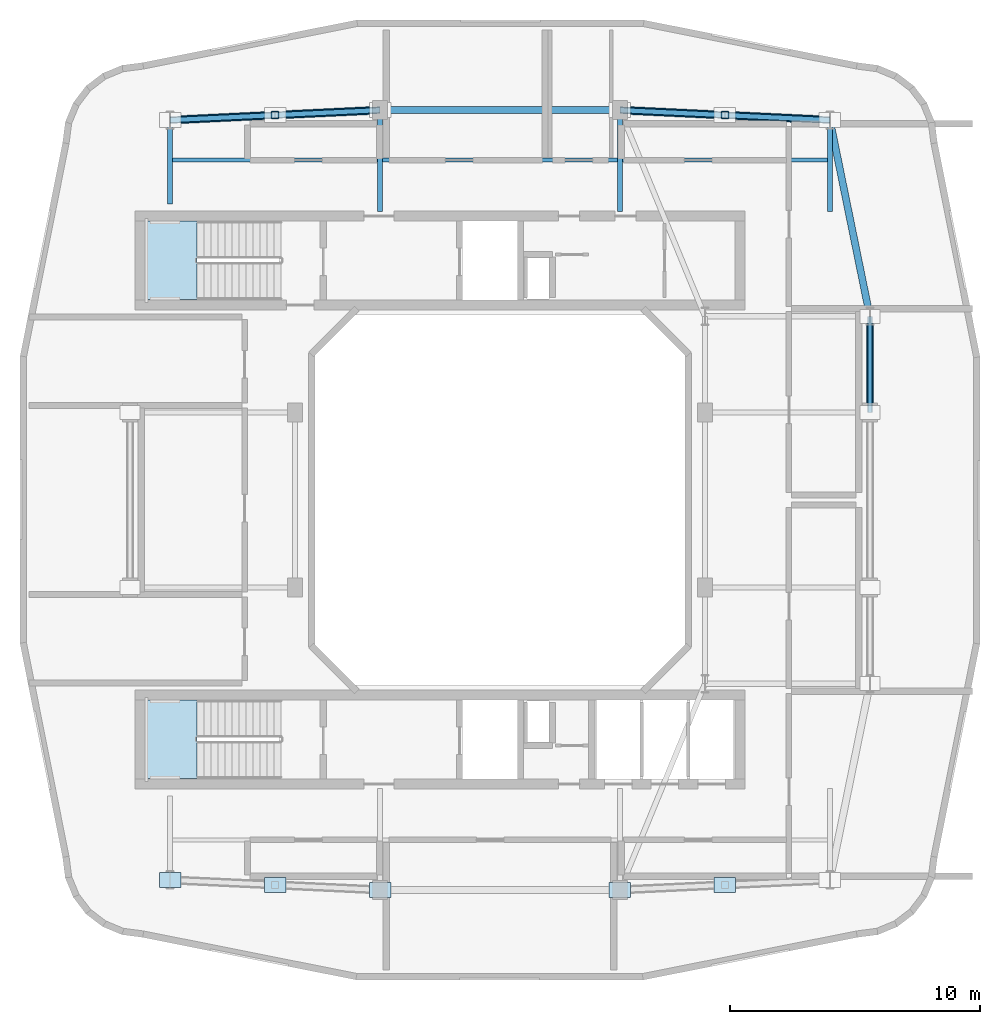
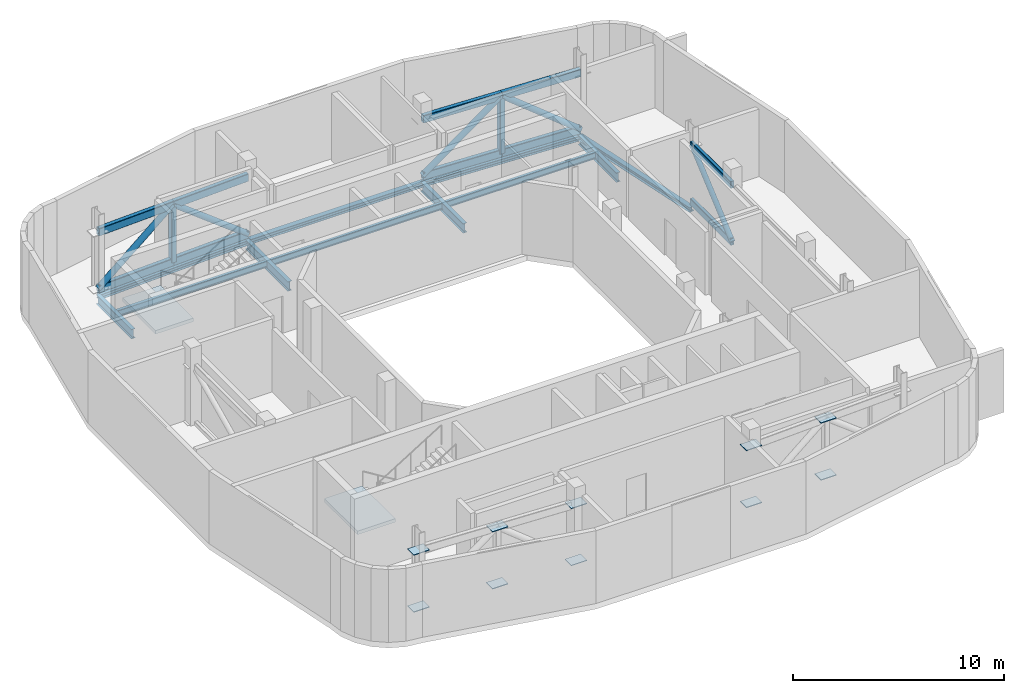
# One storey, part 2 of 9: 17 members, 11 beams, 10 plates, 2 slabs, 2 elements without a shape of their own.
"""IFC4 building model written with IfcOpenShell, lengths in metres."""

from ifc_helpers import new_model, si_unit, derived_unit, direction, frame, origin, origin_2d, place, context, subcontext, project, spatial, polyline, rectangle, hollow_rectangle, hollow_circle, i_section, outline, extrude, material, layer, layer_set, material_profile, profile_set, type_object, element, aggregate, save


model = new_model("IFC4")

# Units and contexts
model_context = context("Model", 3, precision=1e-05, world=origin(), true_north=direction((0.0, 1.0)))
body_context = subcontext(model_context, "Body", "Model", "MODEL_VIEW")
ifc_project = project(units=[si_unit("LENGTHUNIT", "METRE"), si_unit("AREAUNIT", "SQUARE_METRE"), si_unit("VOLUMEUNIT", "CUBIC_METRE"), si_unit("PLANEANGLEUNIT", "RADIAN"), si_unit("MASSUNIT", "GRAM", prefix="KILO"), derived_unit("THERMALTRANSMITTANCEUNIT", [(si_unit("POWERUNIT", "WATT"), 1), (si_unit("LENGTHUNIT", "METRE"), -2), (si_unit("THERMODYNAMICTEMPERATUREUNIT", "KELVIN"), -1)])], contexts=[model_context])

# Site, building, storey
site_placement = place(None, origin())
site = spatial("IfcSite", under=ifc_project, at=site_placement, CompositionType="ELEMENT")
building_placement = place(site_placement, origin())
building = spatial("IfcBuilding", under=site, at=building_placement, Name="Kivonza Crest Hotel", CompositionType="ELEMENT")
storey_placement = place(building_placement, frame((0.0, 0.0, 238.699951171875)))
storey = spatial("IfcBuildingStorey", under=building, at=storey_placement, Name="L65", CompositionType="ELEMENT", Elevation=238.699951171875)

# Beams
ifc_material_1 = material(Name="Steel S355", Category="steel")
ifc_material_profile_1 = material_profile(ifc_material_1, i_section(OverallWidth=0.280029296875, OverallDepth=0.280029296875, WebThickness=0.010498046875, FlangeThickness=0.01806640625, FilletRadius=0.02392578125, at=origin_2d()), Name="HEB 280")
ifc_profile_set_1 = profile_set([ifc_material_profile_1], Name="Steel S355")
beam_type_1 = type_object("IfcBeamType", Name="BM-HEB280", PredefinedType="SPANDREL", material=ifc_profile_set_1)
beam_1_placement = place(storey_placement, frame((35.800048828125, 32.35009765625, -0.4599609375), z_axis=(-0.199730733965, 0.979850822273, 0.0), x_axis=(-0.979850822273, -0.199730733965, 0.0)))
element("IfcBeam", 1, at=beam_1_placement, inside=storey, type_object=beam_type_1, Name="Tower T1 L65 perimeter spandrel PNE-NE", PredefinedType="SPANDREL", context=body_context, shape_type="SweptSolid", body=[
    extrude(i_section(OverallWidth=0.280029296875, OverallDepth=0.280029296875, WebThickness=0.010498046875, FlangeThickness=0.01806640625, FilletRadius=0.02392578125, at=origin_2d()), origin(), (0.0, 0.0, 1.0), 8.01123046875),
])
beam_2_placement = place(storey_placement, frame((34.199951171875, 40.199951171875, -0.4599609375), z_axis=(-0.998867283688, 0.047583080799, 0.0), x_axis=(-0.047583080799, -0.998867283688, 0.0)))
element("IfcBeam", 2, at=beam_2_placement, inside=storey, type_object=beam_type_1, Name="Tower T1 L65 perimeter spandrel NE-N2", PredefinedType="SPANDREL", context=body_context, shape_type="SweptSolid", body=[
    extrude(i_section(OverallWidth=0.280029296875, OverallDepth=0.280029296875, WebThickness=0.010498046875, FlangeThickness=0.01806640625, FilletRadius=0.02392578125, at=origin_2d()), origin(), (0.0, 0.0, 1.0), 8.409423828125),
])
beam_3_placement = place(storey_placement, frame((25.800048828125, 40.60009765625, -0.4599609375), z_axis=(-1.0, 0.0, 0.0), x_axis=(0.0, -1.0, 0.0)))
element("IfcBeam", 3, at=beam_3_placement, inside=storey, type_object=beam_type_1, Name="Tower T1 L65 perimeter spandrel N2-N1", PredefinedType="SPANDREL", context=body_context, shape_type="SweptSolid", body=[
    extrude(i_section(OverallWidth=0.280029296875, OverallDepth=0.280029296875, WebThickness=0.010498046875, FlangeThickness=0.01806640625, FilletRadius=0.02392578125, at=origin_2d()), origin(), (0.0, 0.0, 1.0), 9.60009765625),
])
beam_4_placement = place(storey_placement, frame((16.199951171875, 40.60009765625, -0.4599609375), z_axis=(-0.998867283688, -0.047583080799, 0.0), x_axis=(0.047583080799, -0.998867283688, 0.0)))
element("IfcBeam", 4, at=beam_4_placement, inside=storey, type_object=beam_type_1, Name="Tower T1 L65 perimeter spandrel N1-NW", PredefinedType="SPANDREL", context=body_context, shape_type="SweptSolid", body=[
    extrude(i_section(OverallWidth=0.280029296875, OverallDepth=0.280029296875, WebThickness=0.010498046875, FlangeThickness=0.01806640625, FilletRadius=0.02392578125, at=origin_2d()), origin(), (0.0, 0.0, 1.0), 8.409423828125),
])
ifc_material_profile_2 = material_profile(ifc_material_1, i_section(OverallWidth=0.169921875, OverallDepth=0.360107421875, WebThickness=0.008056640625, FlangeThickness=0.0126953125, FilletRadius=0.01806640625, at=origin_2d()), Name="IPE 360")
ifc_profile_set_2 = profile_set([ifc_material_profile_2], Name="Steel S355")
beam_type_2 = type_object("IfcBeamType", Name="BM-IPE360", PredefinedType="JOIST", material=ifc_profile_set_2)
beam_5_placement = place(storey_placement, frame((7.8798828125, 38.60009765625, -0.5), z_axis=(1.0, 0.0, 0.0), x_axis=(0.0, 1.0, 0.0)))
element("IfcBeam", 5, at=beam_5_placement, inside=storey, type_object=beam_type_2, Name="Tower T1 L65 North-West floor joist", PredefinedType="JOIST", context=body_context, shape_type="SweptSolid", body=[
    extrude(i_section(OverallWidth=0.169921875, OverallDepth=0.360107421875, WebThickness=0.008056640625, FlangeThickness=0.0126953125, FilletRadius=0.01806640625, at=origin_2d()), origin(), (0.0, 0.0, 1.0), 8.240234375),
])
beam_6_placement = place(storey_placement, frame((16.280029296875, 38.60009765625, -0.5), z_axis=(1.0, 0.0, 0.0), x_axis=(0.0, 1.0, 0.0)))
element("IfcBeam", 6, at=beam_6_placement, inside=storey, type_object=beam_type_2, Name="Tower T1 L65 North-Mid floor joist", PredefinedType="JOIST", context=body_context, shape_type="SweptSolid", body=[
    extrude(i_section(OverallWidth=0.169921875, OverallDepth=0.360107421875, WebThickness=0.008056640625, FlangeThickness=0.0126953125, FilletRadius=0.01806640625, at=origin_2d()), origin(), (0.0, 0.0, 1.0), 9.43994140625),
])
beam_7_placement = place(storey_placement, frame((25.8798828125, 38.60009765625, -0.5), z_axis=(1.0, 0.0, 0.0), x_axis=(0.0, 1.0, 0.0)))
element("IfcBeam", 7, at=beam_7_placement, inside=storey, type_object=beam_type_2, Name="Tower T1 L65 North-East floor joist", PredefinedType="JOIST", context=body_context, shape_type="SweptSolid", body=[
    extrude(i_section(OverallWidth=0.169921875, OverallDepth=0.360107421875, WebThickness=0.008056640625, FlangeThickness=0.0126953125, FilletRadius=0.01806640625, at=origin_2d()), origin(), (0.0, 0.0, 1.0), 8.240234375),
])
ifc_material_profile_3 = material_profile(ifc_material_1, i_section(OverallWidth=0.2099609375, OverallDepth=0.550048828125, WebThickness=0.010986328125, FlangeThickness=0.01708984375, FilletRadius=0.02392578125, at=origin_2d()), Name="IPE 550")
ifc_profile_set_3 = profile_set([ifc_material_profile_3], Name="Steel S355")
beam_type_3 = type_object("IfcBeamType", Name="BM-IPE550", PredefinedType="BEAM", material=ifc_profile_set_3)
beam_8_placement = place(storey_placement, frame((7.800048828125, 40.199951171875, -0.594970703125), z_axis=(0.0, -1.0, 0.0), x_axis=(1.0, 0.0, 0.0)))
element("IfcBeam", 8, at=beam_8_placement, inside=storey, type_object=beam_type_3, Name="Tower T1 L65 radial core girder RNW", PredefinedType="BEAM", context=body_context, shape_type="SweptSolid", body=[
    extrude(i_section(OverallWidth=0.2099609375, OverallDepth=0.550048828125, WebThickness=0.010986328125, FlangeThickness=0.01708984375, FilletRadius=0.02392578125, at=origin_2d()), origin(), (0.0, 0.0, 1.0), 3.349853515625),
])
for number, where, z_axis, x_axis, name in (
    (9, (16.199951171875, 40.60009765625, -0.594970703125), (0.0, -1.0, 0.0), (1.0, 0.0, 0.0), "Tower T1 L65 radial core girder RN1"),
    (10, (25.800048828125, 40.60009765625, -0.594970703125), (0.0, -1.0, 0.0), (1.0, 0.0, 0.0), "Tower T1 L65 radial core girder RN2"),
):
    element("IfcBeam", number, at=place(storey_placement, frame(where, z_axis=z_axis, x_axis=x_axis)), inside=storey, type_object=beam_type_3, Name=name, PredefinedType="BEAM", context=body_context, shape_type="SweptSolid", body=[
        extrude(i_section(OverallWidth=0.2099609375, OverallDepth=0.550048828125, WebThickness=0.010986328125, FlangeThickness=0.01708984375, FilletRadius=0.02392578125, at=origin_2d()), origin(), (0.0, 0.0, 1.0), 4.050048828125),
    ])
beam_9_placement = place(storey_placement, frame((34.199951171875, 40.199951171875, -0.594970703125), z_axis=(0.0, -1.0, 0.0), x_axis=(1.0, 0.0, 0.0)))
element("IfcBeam", 11, at=beam_9_placement, inside=storey, type_object=beam_type_3, Name="Tower T1 L65 radial core girder RNE", PredefinedType="BEAM", context=body_context, shape_type="SweptSolid", body=[
    extrude(i_section(OverallWidth=0.2099609375, OverallDepth=0.550048828125, WebThickness=0.010986328125, FlangeThickness=0.01708984375, FilletRadius=0.02392578125, at=origin_2d()), origin(), (0.0, 0.0, 1.0), 3.64990234375),
])

# Members
ifc_material_profile_4 = material_profile(ifc_material_1, hollow_circle(Radius=0.136474609375, WallThickness=0.012451171875, at=origin_2d()), Name="CHS 273x12.5")
ifc_profile_set_4 = profile_set([ifc_material_profile_4], Name="Steel S355")
member_type_1 = type_object("IfcMemberType", Name="MB-BRACE-CHS273", PredefinedType="BRACE", material=ifc_profile_set_4)
member_placement = place(storey_placement, frame((35.800048828125, 28.5, 0.0), z_axis=(0.0, 0.759260000885, 0.650787408495), x_axis=(-1.0, 0.0, 0.0)))
element("IfcMember", 12, at=member_placement, inside=storey, type_object=member_type_1, Name="Belt truss L65 E diagonal brace 3", PredefinedType="BRACE", context=body_context, shape_type="SweptSolid", body=[
    extrude(hollow_circle(Radius=0.136474609375, WallThickness=0.012451171875, at=origin_2d()), origin(), (0.0, 0.0, 1.0), 5.07080078125),
])
ifc_material_profile_5 = material_profile(ifc_material_1, hollow_circle(Radius=0.161865234375, WallThickness=0.01611328125, at=origin_2d()), Name="CHS 323.9x16")
ifc_profile_set_5 = profile_set([ifc_material_profile_5], Name="Steel S355")
member_type_2 = type_object("IfcMemberType", Name="MB-BRACE-CHS324", PredefinedType="BRACE", material=ifc_profile_set_5)
for number, where, z_axis, x_axis, name in (
    (13, (16.199951171875, 40.60009765625, 0.0), (-0.785758694228, -0.037454056227, 0.617398143921), (0.047612046782, -0.998865903413, 0.0), "Outrigger truss L65 NW diagonal brace 1"),
    (14, (12.0, 40.39990234375, 3.300048828125), (-0.78576003764, -0.037408444505, -0.617399199487), (0.047554114695, -0.998868663126, 0.0), "Outrigger truss L65 NW diagonal brace 2"),
    (15, (25.800048828125, 40.60009765625, 0.0), (0.785758694228, -0.037454056227, 0.617398143921), (0.047612046782, 0.998865903413, 0.0), "Outrigger truss L65 NE diagonal brace 1"),
    (16, (30.0, 40.39990234375, 3.300048828125), (0.78576003764, -0.037408444505, -0.617399199487), (0.047554114695, 0.998868663126, 0.0), "Outrigger truss L65 NE diagonal brace 2"),
):
    element("IfcMember", number, at=place(storey_placement, frame(where, z_axis=z_axis, x_axis=x_axis)), inside=storey, type_object=member_type_2, Name=name, PredefinedType="BRACE", context=body_context, shape_type="SweptSolid", body=[
        extrude(hollow_circle(Radius=0.161865234375, WallThickness=0.01611328125, at=origin_2d()), origin(), (0.0, 0.0, 1.0), 5.344970703125),
    ])
ifc_material_profile_6 = material_profile(ifc_material_1, hollow_rectangle(XDim=0.199951171875, YDim=0.39990234375, WallThickness=0.01611328125, InnerFilletRadius=0.02392578125, OuterFilletRadius=0.0400390625, at=origin_2d()), Name="RHS 400x200x16")
ifc_profile_set_6 = profile_set([ifc_material_profile_6], Name="Steel S355")
member_type_3 = type_object("IfcMemberType", Name="MB-CHORD-RHS400", PredefinedType="CHORD", material=ifc_profile_set_6)
for number, where, z_axis, x_axis, name in (
    (17, (35.800048828125, 28.5, 0.0), (0.0, 1.0, 0.0), (-1.0, 0.0, 0.0), "Belt truss L65 E bottom chord 3"),
    (18, (35.800048828125, 28.5, 3.300048828125), (0.0, 1.0, 0.0), (-1.0, 0.0, 0.0), "Belt truss L65 E top chord 3"),
):
    element("IfcMember", number, at=place(storey_placement, frame(where, z_axis=z_axis, x_axis=x_axis)), inside=storey, type_object=member_type_3, Name=name, PredefinedType="CHORD", context=body_context, shape_type="SweptSolid", body=[
        extrude(hollow_rectangle(XDim=0.199951171875, YDim=0.39990234375, WallThickness=0.01611328125, InnerFilletRadius=0.02392578125, OuterFilletRadius=0.0400390625, at=origin_2d()), origin(), (0.0, 0.0, 1.0), 3.85009765625),
    ])
ifc_material_profile_7 = material_profile(ifc_material_1, hollow_rectangle(XDim=0.25, YDim=0.449951171875, WallThickness=0.01611328125, InnerFilletRadius=0.02392578125, OuterFilletRadius=0.0400390625, at=origin_2d()), Name="RHS 450x250x16")
ifc_profile_set_7 = profile_set([ifc_material_profile_7], Name="Steel S355")
member_type_4 = type_object("IfcMemberType", Name="MB-CHORD-RHS450", PredefinedType="CHORD", material=ifc_profile_set_7)
for number, where, z_axis, x_axis, name in (
    (19, (16.199951171875, 40.60009765625, 0.0), (-0.998865903413, -0.047612046782, 0.0), (0.047612046782, -0.998865903413, 0.0), "Outrigger truss L65 NW bottom chord 1"),
    (20, (16.199951171875, 40.60009765625, 3.300048828125), (-0.998865903413, -0.047612046782, 0.0), (0.047612046782, -0.998865903413, 0.0), "Outrigger truss L65 NW top chord 1"),
):
    element("IfcMember", number, at=place(storey_placement, frame(where, z_axis=z_axis, x_axis=x_axis)), inside=storey, type_object=member_type_4, Name=name, PredefinedType="CHORD", context=body_context, shape_type="SweptSolid", body=[
        extrude(hollow_rectangle(XDim=0.25, YDim=0.449951171875, WallThickness=0.01611328125, InnerFilletRadius=0.02392578125, OuterFilletRadius=0.0400390625, at=origin_2d()), origin(), (0.0, 0.0, 1.0), 4.204833984375),
    ])
for number, where, z_axis, x_axis, name in (
    (21, (12.0, 40.39990234375, 0.0), (-0.998868663126, -0.047554114695, 0.0), (0.047554114695, -0.998868663126, 0.0), "Outrigger truss L65 NW bottom chord 2"),
    (22, (12.0, 40.39990234375, 3.300048828125), (-0.998868663126, -0.047554114695, 0.0), (0.047554114695, -0.998868663126, 0.0), "Outrigger truss L65 NW top chord 2"),
):
    element("IfcMember", number, at=place(storey_placement, frame(where, z_axis=z_axis, x_axis=x_axis)), inside=storey, type_object=member_type_4, Name=name, PredefinedType="CHORD", context=body_context, shape_type="SweptSolid", body=[
        extrude(hollow_rectangle(XDim=0.25, YDim=0.449951171875, WallThickness=0.01611328125, InnerFilletRadius=0.02392578125, OuterFilletRadius=0.0400390625, at=origin_2d()), origin(), (0.0, 0.0, 1.0), 4.20458984375),
    ])
for number, where, z_axis, x_axis, name in (
    (23, (25.800048828125, 40.60009765625, 0.0), (0.998865903413, -0.047612046782, 0.0), (0.047612046782, 0.998865903413, 0.0), "Outrigger truss L65 NE bottom chord 1"),
    (24, (25.800048828125, 40.60009765625, 3.300048828125), (0.998865903413, -0.047612046782, 0.0), (0.047612046782, 0.998865903413, 0.0), "Outrigger truss L65 NE top chord 1"),
):
    element("IfcMember", number, at=place(storey_placement, frame(where, z_axis=z_axis, x_axis=x_axis)), inside=storey, type_object=member_type_4, Name=name, PredefinedType="CHORD", context=body_context, shape_type="SweptSolid", body=[
        extrude(hollow_rectangle(XDim=0.25, YDim=0.449951171875, WallThickness=0.01611328125, InnerFilletRadius=0.02392578125, OuterFilletRadius=0.0400390625, at=origin_2d()), origin(), (0.0, 0.0, 1.0), 4.204833984375),
    ])
for number, where, z_axis, x_axis, name in (
    (25, (30.0, 40.39990234375, 0.0), (0.998868663126, -0.047554114695, 0.0), (0.047554114695, 0.998868663126, 0.0), "Outrigger truss L65 NE bottom chord 2"),
    (26, (30.0, 40.39990234375, 3.300048828125), (0.998868663126, -0.047554114695, 0.0), (0.047554114695, 0.998868663126, 0.0), "Outrigger truss L65 NE top chord 2"),
):
    element("IfcMember", number, at=place(storey_placement, frame(where, z_axis=z_axis, x_axis=x_axis)), inside=storey, type_object=member_type_4, Name=name, PredefinedType="CHORD", context=body_context, shape_type="SweptSolid", body=[
        extrude(hollow_rectangle(XDim=0.25, YDim=0.449951171875, WallThickness=0.01611328125, InnerFilletRadius=0.02392578125, OuterFilletRadius=0.0400390625, at=origin_2d()), origin(), (0.0, 0.0, 1.0), 4.20458984375),
    ])
ifc_material_profile_8 = material_profile(ifc_material_1, hollow_rectangle(XDim=0.300048828125, YDim=0.300048828125, WallThickness=0.01611328125, InnerFilletRadius=0.02392578125, OuterFilletRadius=0.0400390625, at=origin_2d()), Name="SHS 300x300x16")
ifc_profile_set_8 = profile_set([ifc_material_profile_8], Name="Steel S355")
member_type_5 = type_object("IfcMemberType", Name="MB-POST-SHS300", PredefinedType="POST", material=ifc_profile_set_8)
for number, where, z_axis, x_axis, name in (
    (27, (12.0, 40.39990234375, 0.0), (0.0, 0.0, 1.0), (1.0, 0.0, 0.0), "Outrigger truss L65 NW vertical post 2"),
    (28, (30.0, 40.39990234375, 0.0), (0.0, 0.0, 1.0), (1.0, 0.0, 0.0), "Outrigger truss L65 NE vertical post 2"),
):
    element("IfcMember", number, at=place(storey_placement, frame(where, z_axis=z_axis, x_axis=x_axis)), inside=storey, type_object=member_type_5, Name=name, PredefinedType="POST", context=body_context, shape_type="SweptSolid", body=[
        extrude(hollow_rectangle(XDim=0.300048828125, YDim=0.300048828125, WallThickness=0.01611328125, InnerFilletRadius=0.02392578125, OuterFilletRadius=0.0400390625, at=origin_2d()), origin(), (0.0, 0.0, 1.0), 3.300048828125),
    ])

# Plates
ifc_layer_1 = layer(ifc_material_1, 0.035888671875)
ifc_layer_set_1 = layer_set([ifc_layer_1], Name="Steel S355")
plate_type = type_object("IfcPlateType", Name="PL-NODE-OT1", PredefinedType="SHEET", material=ifc_layer_set_1)
for number, where, z_axis, x_axis, name in (
    (29, (12.0, 9.60009765625, -0.01806640625), (0.0, 0.0, 1.0), (1.0, 0.0, 0.0), "ND-OT1 node gusset and end-cap plate L65 117"),
    (30, (12.0, 9.60009765625, 3.2822265625), (0.0, 0.0, 1.0), (1.0, 0.0, 0.0), "ND-OT1 node gusset and end-cap plate L65 118"),
    (31, (16.199951171875, 9.39990234375, -0.01806640625), (0.0, 0.0, 1.0), (1.0, 0.0, 0.0), "ND-OT1 node gusset and end-cap plate L65 119"),
    (32, (16.199951171875, 9.39990234375, 3.2822265625), (0.0, 0.0, 1.0), (1.0, 0.0, 0.0), "ND-OT1 node gusset and end-cap plate L65 120"),
    (33, (7.800048828125, 9.800048828125, -0.01806640625), (0.0, 0.0, 1.0), (1.0, 0.0, 0.0), "ND-OT1 node gusset and end-cap plate L65 121"),
    (34, (7.800048828125, 9.800048828125, 3.2822265625), (0.0, 0.0, 1.0), (1.0, 0.0, 0.0), "ND-OT1 node gusset and end-cap plate L65 122"),
    (35, (30.0, 9.60009765625, -0.01806640625), (0.0, 0.0, 1.0), (1.0, 0.0, 0.0), "ND-OT1 node gusset and end-cap plate L65 123"),
    (36, (30.0, 9.60009765625, 3.2822265625), (0.0, 0.0, 1.0), (1.0, 0.0, 0.0), "ND-OT1 node gusset and end-cap plate L65 124"),
    (37, (25.800048828125, 9.39990234375, -0.01806640625), (0.0, 0.0, 1.0), (1.0, 0.0, 0.0), "ND-OT1 node gusset and end-cap plate L65 125"),
    (38, (25.800048828125, 9.39990234375, 3.2822265625), (0.0, 0.0, 1.0), (1.0, 0.0, 0.0), "ND-OT1 node gusset and end-cap plate L65 126"),
):
    element("IfcPlate", number, at=place(storey_placement, frame(where, z_axis=z_axis, x_axis=x_axis)), inside=storey, type_object=plate_type, Name=name, PredefinedType="SHEET", context=body_context, shape_type="SweptSolid", body=[
        extrude(rectangle(XDim=0.860107421875, YDim=0.60009765625, at=origin_2d()), origin(), (0.0, 0.0, 1.0), 0.035888671875),
    ])

# Stair, slab
ifc_material_2 = material(Name="Concrete C40/50", Category="concrete")
stair_type = type_object("IfcStairType", Name="ST-DL-26R", PredefinedType="HALF_TURN_STAIR", material=ifc_material_2)
stair_1_placement = place(storey_placement, origin())
stair_1 = element("IfcStair", 39, at=stair_1_placement, inside=storey, type_object=stair_type, Name="L65 Protected Exit Stair ST-T1-N", PredefinedType="HALF_TURN_STAIR")
ifc_layer_2 = layer(ifc_material_2, 0.199951171875)
ifc_layer_set_2 = layer_set([ifc_layer_2], Name="Concrete C40/50")
slab_type = type_object("IfcSlabType", Name="SL-LAND-200", PredefinedType="LANDING", material=ifc_layer_set_2)
slab_1_placement = place(storey_placement, frame((0.0, 0.0, 2.050048828125)))
slab_1 = element("IfcSlab", 40, at=slab_1_placement, type_object=slab_type, Name="ST-T1-N landing 1", PredefinedType="LANDING", context=body_context, shape_type="SweptSolid", body=[
    extrude(outline(polyline([(8.8798828125, 36.159912109375), (6.800048828125, 36.159912109375), (6.800048828125, 33.02001953125), (8.8798828125, 33.02001953125), (8.8798828125, 36.159912109375)])), origin(), (0.0, 0.0, 1.0), 0.199951171875),
])
aggregate(stair_1, [slab_1])

stair_2_placement = place(storey_placement, origin())
stair_2 = element("IfcStair", 41, at=stair_2_placement, inside=storey, type_object=stair_type, Name="L65 Protected Exit Stair ST-T1-S", PredefinedType="HALF_TURN_STAIR")
slab_2_placement = place(storey_placement, frame((0.0, 0.0, 2.050048828125)))
slab_2 = element("IfcSlab", 42, at=slab_2_placement, type_object=slab_type, Name="ST-T1-S landing 1", PredefinedType="LANDING", context=body_context, shape_type="SweptSolid", body=[
    extrude(outline(polyline([(8.8798828125, 17.0), (6.800048828125, 17.0), (6.800048828125, 13.860107421875), (8.8798828125, 13.860107421875), (8.8798828125, 17.0)])), origin(), (0.0, 0.0, 1.0), 0.199951171875),
])
aggregate(stair_2, [slab_2])

save(model, "model.ifc")
